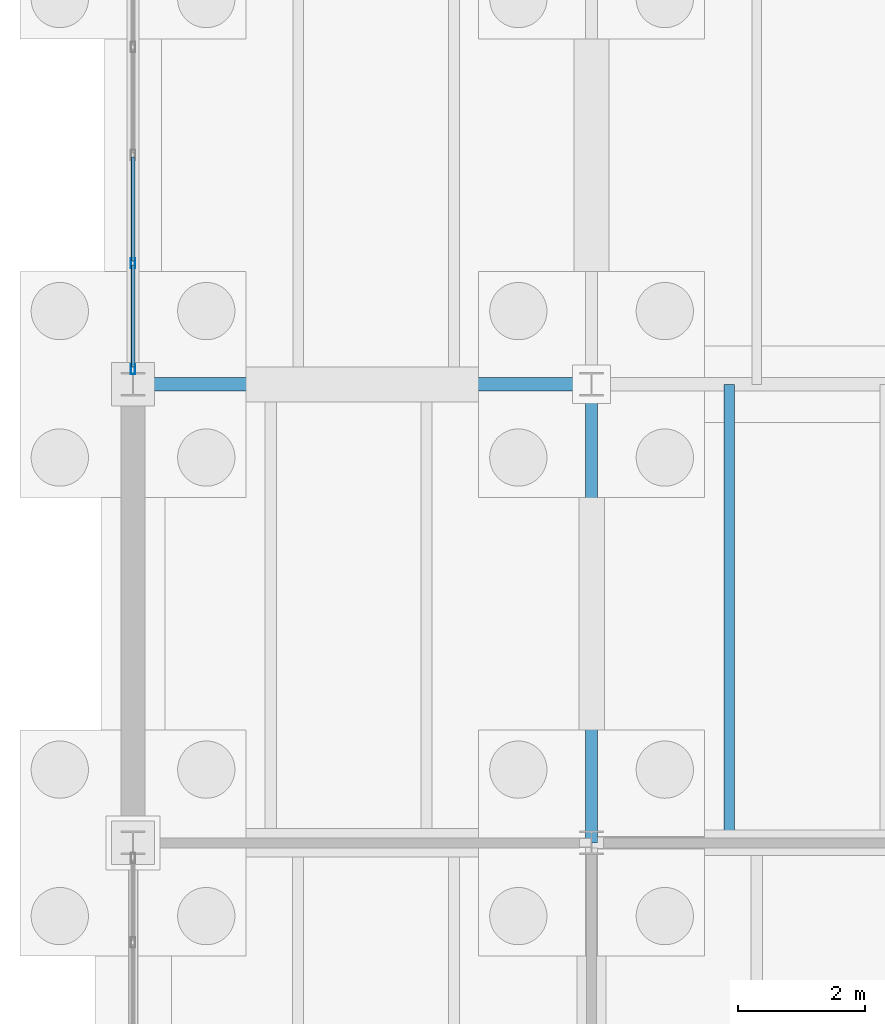
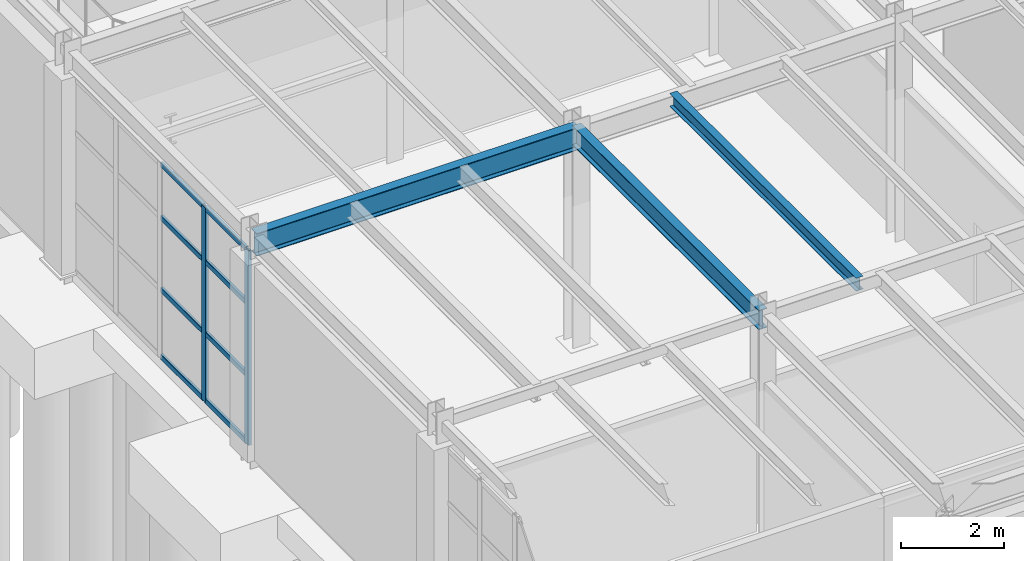
# One storey, part 57 of 293: 10 members, 3 beams, 1 element without a shape of its own.
"""IFC4 building model written with IfcOpenShell, lengths in metres."""

from ifc_helpers import new_model, si_unit, direction, frame, origin, origin_2d, place, context, subcontext, project, spatial, hollow_rectangle, i_section, extrude, material, layer, layer_set, material_profile, profile_set, type_object, element, aggregate, save


model = new_model("IFC4")

# Units and contexts
model_context = context("Model", 3, precision=1e-05, world=origin(), true_north=direction((0.0, 1.0)))
body_context = subcontext(model_context, "Body", "Model", "MODEL_VIEW")
ifc_project = project(units=[si_unit("LENGTHUNIT", "METRE"), si_unit("AREAUNIT", "SQUARE_METRE"), si_unit("VOLUMEUNIT", "CUBIC_METRE"), si_unit("PLANEANGLEUNIT", "RADIAN"), si_unit("MASSUNIT", "GRAM", prefix="KILO")], contexts=[model_context])

# Site, building, storey
site_placement = place(None, origin())
site = spatial("IfcSite", under=ifc_project, at=site_placement, CompositionType="ELEMENT")
building_placement = place(site_placement, origin())
building = spatial("IfcBuilding", under=site, at=building_placement, Name="Kemerveld Promenade Tramway Depot", CompositionType="ELEMENT")
storey_placement = place(building_placement, origin())
storey = spatial("IfcBuildingStorey", under=building, at=storey_placement, Name="L00", CompositionType="ELEMENT", Elevation=0.0)

# Beams
ifc_material_1 = material(Name="Steel S355", Category="steel")
ifc_material_profile_1 = material_profile(ifc_material_1, i_section(OverallWidth=0.2099609375, OverallDepth=0.53662109375, WebThickness=0.0107421875, FlangeThickness=0.017333984375, FilletRadius=0.0126953125, at=origin_2d()), Name="533x210x101 UB")
ifc_profile_set_1 = profile_set([ifc_material_profile_1], Name="Steel S355")
beam_type_1 = type_object("IfcBeamType", Name="BM-G05", PredefinedType="BEAM", material=ifc_profile_set_1)
beam_1_placement = place(storey_placement, frame((0.0, 36.0, 4.881591796875), z_axis=(1.0, 0.0, 0.0), x_axis=(0.0, 1.0, 0.0)))
element("IfcBeam", 1, at=beam_1_placement, inside=storey, type_object=beam_type_1, Name="BMX-L00-01-02-F", PredefinedType="BEAM", context=body_context, shape_type="SweptSolid", body=[
    extrude(i_section(OverallWidth=0.2099609375, OverallDepth=0.53662109375, WebThickness=0.0107421875, FlangeThickness=0.017333984375, FilletRadius=0.0126953125, at=origin_2d()), origin(), (0.0, 0.0, 1.0), 7.199951171875),
])
ifc_material_profile_2 = material_profile(ifc_material_1, i_section(OverallWidth=0.19140625, OverallDepth=0.4599609375, WebThickness=0.010009765625, FlangeThickness=0.01611328125, FilletRadius=0.01025390625, at=origin_2d()), Name="457x191x82 UB")
ifc_profile_set_2 = profile_set([ifc_material_profile_2], Name="Steel S355")
beam_type_2 = type_object("IfcBeamType", Name="BM-G06", PredefinedType="BEAM", material=ifc_profile_set_2)
beam_2_placement = place(storey_placement, frame((7.199951171875, 28.800048828125, 4.919921875), z_axis=(0.0, 1.0, 0.0), x_axis=(-1.0, 0.0, 0.0)))
element("IfcBeam", 2, at=beam_2_placement, inside=storey, type_object=beam_type_2, Name="BMY-L00-02-E-F", PredefinedType="BEAM", context=body_context, shape_type="SweptSolid", body=[
    extrude(i_section(OverallWidth=0.19140625, OverallDepth=0.4599609375, WebThickness=0.010009765625, FlangeThickness=0.01611328125, FilletRadius=0.01025390625, at=origin_2d()), origin(), (0.0, 0.0, 1.0), 7.199951171875),
])
ifc_material_profile_3 = material_profile(ifc_material_1, i_section(OverallWidth=0.165771484375, OverallDepth=0.306640625, WebThickness=0.006591796875, FlangeThickness=0.01171875, FilletRadius=0.0087890625, at=origin_2d()), Name="305x165x46 UB")
ifc_profile_set_3 = profile_set([ifc_material_profile_3], Name="Steel S355")
beam_type_3 = type_object("IfcBeamType", Name="BM-J01", PredefinedType="JOIST", material=ifc_profile_set_3)
beam_3_placement = place(storey_placement, frame((9.360107421875, 28.800048828125, 4.99658203125), z_axis=(0.0, 1.0, 0.0), x_axis=(-1.0, 0.0, 0.0)))
element("IfcBeam", 3, at=beam_3_placement, inside=storey, type_object=beam_type_3, Name="JST-L00-02-E-1", PredefinedType="JOIST", context=body_context, shape_type="SweptSolid", body=[
    extrude(i_section(OverallWidth=0.165771484375, OverallDepth=0.306640625, WebThickness=0.006591796875, FlangeThickness=0.01171875, FilletRadius=0.0087890625, at=origin_2d()), origin(), (0.0, 0.0, 1.0), 7.199951171875),
])

# Curtain wall, members
ifc_material_2 = material(Name="Bronze anodised aluminium and solar glass", Category="aluminium")
ifc_layer = layer(ifc_material_2, 0.159912109375)
ifc_layer_set = layer_set([ifc_layer], Name="CW-SYS-09")
curtain_wall_type = type_object("IfcCurtainWallType", Name="CW-SYS-09", PredefinedType="USERDEFINED", material=ifc_layer_set)
curtain_wall_placement = place(storey_placement, origin())
curtain_wall = element("IfcCurtainWall", 4, at=curtain_wall_placement, inside=storey, type_object=curtain_wall_type, Name="CW-L00-V5W-06", ObjectType="GLAZED_CURTAIN_WALL", PredefinedType="USERDEFINED")
ifc_material_3 = material(Name="Bronze anodised aluminium", Category="aluminium")
ifc_material_profile_4 = material_profile(ifc_material_3, hollow_rectangle(XDim=0.06494140625, YDim=0.159912109375, WallThickness=0.00390625, InnerFilletRadius=0.001953125, OuterFilletRadius=0.00390625, at=origin_2d()), Name="CW-MUL-160x65")
ifc_profile_set_4 = profile_set([ifc_material_profile_4], Name="Bronze anodised aluminium")
member_type_1 = type_object("IfcMemberType", Name="CW-MUL-A", PredefinedType="MULLION", material=ifc_profile_set_4)
member_1_placement = place(storey_placement, frame((0.0, 36.23876953125, 0.0), z_axis=(0.0, 0.0, 1.0), x_axis=(-1.0, 0.0, 0.0)))
member_1 = element("IfcMember", 5, at=member_1_placement, type_object=member_type_1, Name="CW09 mullion 1", PredefinedType="MULLION", context=body_context, shape_type="SweptSolid", body=[
    extrude(hollow_rectangle(XDim=0.06494140625, YDim=0.159912109375, WallThickness=0.00390625, InnerFilletRadius=0.001953125, OuterFilletRadius=0.00390625, at=origin_2d()), origin(), (0.0, 0.0, 1.0), 4.593505859375),
])
member_2_placement = place(storey_placement, frame((0.0, 37.903076171875, 0.0), z_axis=(0.0, 0.0, 1.0), x_axis=(-1.0, 0.0, 0.0)))
member_2 = element("IfcMember", 6, at=member_2_placement, type_object=member_type_1, Name="CW09 mullion 2", PredefinedType="MULLION", context=body_context, shape_type="SweptSolid", body=[
    extrude(hollow_rectangle(XDim=0.06494140625, YDim=0.159912109375, WallThickness=0.00390625, InnerFilletRadius=0.001953125, OuterFilletRadius=0.00390625, at=origin_2d()), origin(), (0.0, 0.0, 1.0), 4.593505859375),
])
ifc_material_profile_5 = material_profile(ifc_material_3, hollow_rectangle(XDim=0.06005859375, YDim=0.1201171875, WallThickness=0.00390625, InnerFilletRadius=0.001953125, OuterFilletRadius=0.00390625, at=origin_2d()), Name="CW-TRN-120x60")
ifc_profile_set_5 = profile_set([ifc_material_profile_5], Name="Bronze anodised aluminium")
member_type_2 = type_object("IfcMemberType", Name="CW-TRN-A", PredefinedType="USERDEFINED", material=ifc_profile_set_5)
member_3_placement = place(storey_placement, frame((0.0, 36.271240234375, 0.030029296875), z_axis=(0.0, 1.0, 0.0), x_axis=(-1.0, 0.0, 0.0)))
member_3 = element("IfcMember", 7, at=member_3_placement, type_object=member_type_2, Name="CW09 transom 1.1", ObjectType="TRANSOM", PredefinedType="USERDEFINED", context=body_context, shape_type="SweptSolid", body=[
    extrude(hollow_rectangle(XDim=0.06005859375, YDim=0.1201171875, WallThickness=0.00390625, InnerFilletRadius=0.001953125, OuterFilletRadius=0.00390625, at=origin_2d()), origin(), (0.0, 0.0, 1.0), 1.599365234375),
])
member_4_placement = place(storey_placement, frame((0.0, 36.271240234375, 1.60791015625), z_axis=(0.0, 1.0, 0.0), x_axis=(-1.0, 0.0, 0.0)))
member_4 = element("IfcMember", 8, at=member_4_placement, type_object=member_type_2, Name="CW09 transom 1.2", ObjectType="TRANSOM", PredefinedType="USERDEFINED", context=body_context, shape_type="SweptSolid", body=[
    extrude(hollow_rectangle(XDim=0.06005859375, YDim=0.1201171875, WallThickness=0.00390625, InnerFilletRadius=0.001953125, OuterFilletRadius=0.00390625, at=origin_2d()), origin(), (0.0, 0.0, 1.0), 1.599365234375),
])
member_5_placement = place(storey_placement, frame((0.0, 36.271240234375, 3.306884765625), z_axis=(0.0, 1.0, 0.0), x_axis=(-1.0, 0.0, 0.0)))
member_5 = element("IfcMember", 9, at=member_5_placement, type_object=member_type_2, Name="CW09 transom 1.3", ObjectType="TRANSOM", PredefinedType="USERDEFINED", context=body_context, shape_type="SweptSolid", body=[
    extrude(hollow_rectangle(XDim=0.06005859375, YDim=0.1201171875, WallThickness=0.00390625, InnerFilletRadius=0.001953125, OuterFilletRadius=0.00390625, at=origin_2d()), origin(), (0.0, 0.0, 1.0), 1.599365234375),
])
member_6_placement = place(storey_placement, frame((0.0, 36.271240234375, 4.5634765625), z_axis=(0.0, 1.0, 0.0), x_axis=(-1.0, 0.0, 0.0)))
member_6 = element("IfcMember", 10, at=member_6_placement, type_object=member_type_2, Name="CW09 transom 1.4", ObjectType="TRANSOM", PredefinedType="USERDEFINED", context=body_context, shape_type="SweptSolid", body=[
    extrude(hollow_rectangle(XDim=0.06005859375, YDim=0.1201171875, WallThickness=0.00390625, InnerFilletRadius=0.001953125, OuterFilletRadius=0.00390625, at=origin_2d()), origin(), (0.0, 0.0, 1.0), 1.599365234375),
])
member_7_placement = place(storey_placement, frame((0.0, 37.935546875, 0.030029296875), z_axis=(0.0, 1.0, 0.0), x_axis=(-1.0, 0.0, 0.0)))
member_7 = element("IfcMember", 11, at=member_7_placement, type_object=member_type_2, Name="CW09 transom 2.1", ObjectType="TRANSOM", PredefinedType="USERDEFINED", context=body_context, shape_type="SweptSolid", body=[
    extrude(hollow_rectangle(XDim=0.06005859375, YDim=0.1201171875, WallThickness=0.00390625, InnerFilletRadius=0.001953125, OuterFilletRadius=0.00390625, at=origin_2d()), origin(), (0.0, 0.0, 1.0), 1.6318359375),
])
member_8_placement = place(storey_placement, frame((0.0, 37.935546875, 1.60791015625), z_axis=(0.0, 1.0, 0.0), x_axis=(-1.0, 0.0, 0.0)))
member_8 = element("IfcMember", 12, at=member_8_placement, type_object=member_type_2, Name="CW09 transom 2.2", ObjectType="TRANSOM", PredefinedType="USERDEFINED", context=body_context, shape_type="SweptSolid", body=[
    extrude(hollow_rectangle(XDim=0.06005859375, YDim=0.1201171875, WallThickness=0.00390625, InnerFilletRadius=0.001953125, OuterFilletRadius=0.00390625, at=origin_2d()), origin(), (0.0, 0.0, 1.0), 1.6318359375),
])
member_9_placement = place(storey_placement, frame((0.0, 37.935546875, 3.306884765625), z_axis=(0.0, 1.0, 0.0), x_axis=(-1.0, 0.0, 0.0)))
member_9 = element("IfcMember", 13, at=member_9_placement, type_object=member_type_2, Name="CW09 transom 2.3", ObjectType="TRANSOM", PredefinedType="USERDEFINED", context=body_context, shape_type="SweptSolid", body=[
    extrude(hollow_rectangle(XDim=0.06005859375, YDim=0.1201171875, WallThickness=0.00390625, InnerFilletRadius=0.001953125, OuterFilletRadius=0.00390625, at=origin_2d()), origin(), (0.0, 0.0, 1.0), 1.6318359375),
])
member_10_placement = place(storey_placement, frame((0.0, 37.935546875, 4.5634765625), z_axis=(0.0, 1.0, 0.0), x_axis=(-1.0, 0.0, 0.0)))
member_10 = element("IfcMember", 14, at=member_10_placement, type_object=member_type_2, Name="CW09 transom 2.4", ObjectType="TRANSOM", PredefinedType="USERDEFINED", context=body_context, shape_type="SweptSolid", body=[
    extrude(hollow_rectangle(XDim=0.06005859375, YDim=0.1201171875, WallThickness=0.00390625, InnerFilletRadius=0.001953125, OuterFilletRadius=0.00390625, at=origin_2d()), origin(), (0.0, 0.0, 1.0), 1.6318359375),
])
aggregate(curtain_wall, [member_1, member_2, member_3, member_4, member_5, member_6, member_7, member_8, member_9, member_10])

save(model, "model.ifc")
